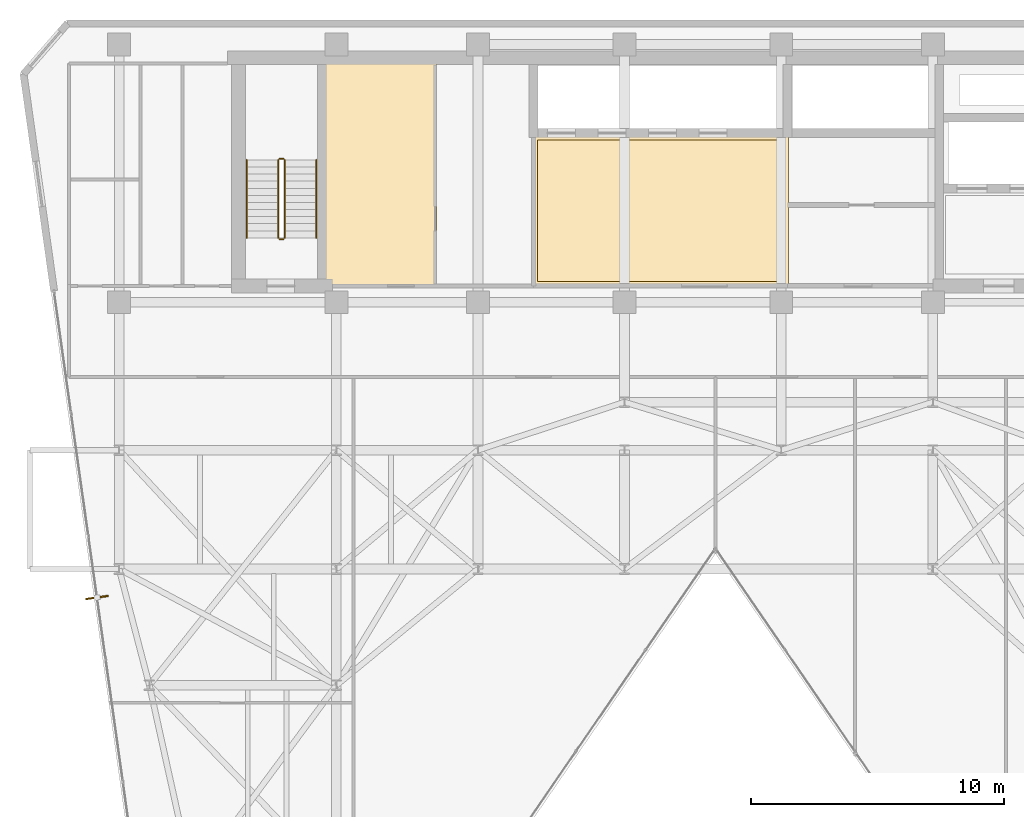
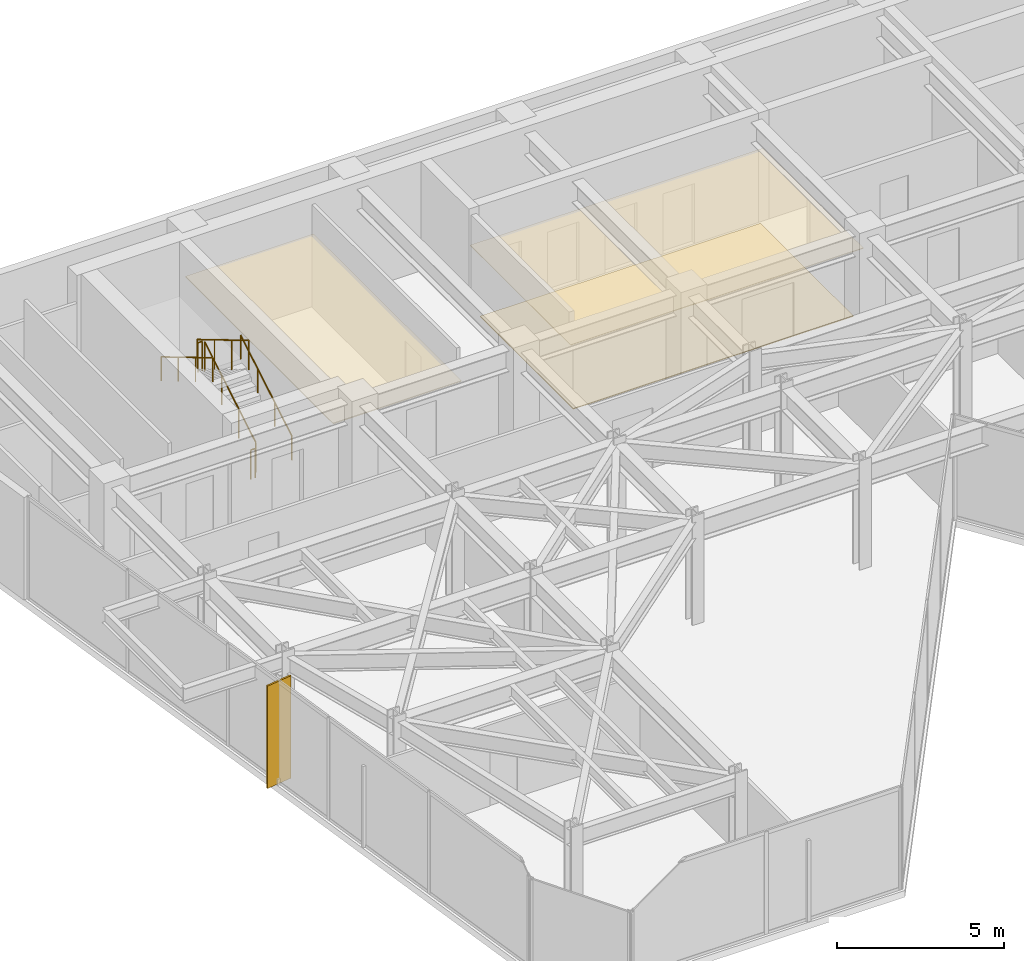
# One storey, part 25 of 26: 6 railings, 3 coverings, 1 shading device.
"""IFC4 building model written with IfcOpenShell, lengths in metres."""

from ifc_helpers import new_model, si_unit, direction, frame, origin, origin_2d, place, context, subcontext, project, spatial, polyline, rectangle, circle, outline, extrude, material, layer, layer_set, type_object, element, save


model = new_model("IFC4")

# Units and contexts
model_context = context("Model", 3, precision=1e-05, world=origin(), true_north=direction((0.0, 1.0)))
body_context = subcontext(model_context, "Body", "Model", "MODEL_VIEW")
ifc_project = project(units=[si_unit("LENGTHUNIT", "METRE"), si_unit("AREAUNIT", "SQUARE_METRE"), si_unit("VOLUMEUNIT", "CUBIC_METRE"), si_unit("PLANEANGLEUNIT", "RADIAN"), si_unit("MASSUNIT", "GRAM", prefix="KILO")], contexts=[model_context])

# Site, building, storey
site_placement = place(None, origin())
site = spatial("IfcSite", under=ifc_project, at=site_placement, CompositionType="ELEMENT")
building_placement = place(site_placement, origin())
building = spatial("IfcBuilding", under=site, at=building_placement, Name="Kravanh Interchange Tower", CompositionType="ELEMENT")
storey_placement = place(building_placement, frame((0.0, 0.0, 172.5)))
storey = spatial("IfcBuildingStorey", under=building, at=storey_placement, Name="L41", CompositionType="ELEMENT", Elevation=172.5)

# Coverings
ifc_material_1 = material(Name="Cementitious Terrazzo Tile")
ifc_layer_1 = layer(ifc_material_1, 0.030029296875)
ifc_layer_set_1 = layer_set([ifc_layer_1], Name="Honed Terrazzo Lobby Flooring 30mm")
covering_type_1 = type_object("IfcCoveringType", Name="Honed Terrazzo Lobby Flooring 30mm", PredefinedType="FLOORING", material=ifc_layer_set_1)
covering_1_placement = place(storey_placement, origin())
element("IfcCovering", 1, at=covering_1_placement, inside=storey, type_object=covering_type_1, Name="L41 Mid-Rise Lift Lobby Floor Finish", PredefinedType="FLOORING", context=body_context, shape_type="SweptSolid", body=[
    extrude(outline(polyline([(35.159912109375, 43.77001953125), (44.8701171875, 43.77001953125), (44.8701171875, 38.179931640625), (35.159912109375, 38.179931640625), (35.159912109375, 43.77001953125)])), origin(), (0.0, 0.0, 1.0), 0.030029296875),
])
ifc_material_2 = material(Name="Anodised Bronze Aluminium Acoustic Baffle", Category="aluminium")
ifc_layer_2 = layer(ifc_material_2, 0.034912109375)
ifc_layer_set_2 = layer_set([ifc_layer_2], Name="Linear Bronze Baffle Feature Ceiling 35mm")
covering_type_2 = type_object("IfcCoveringType", Name="Linear Bronze Baffle Feature Ceiling 35mm", PredefinedType="CEILING", material=ifc_layer_set_2)
covering_2_placement = place(storey_placement, frame((0.0, 0.0, 2.550048828125)))
element("IfcCovering", 2, at=covering_2_placement, inside=storey, type_object=covering_type_2, Name="L41 Regional IT Server Suite Suspended Ceiling", PredefinedType="CEILING", context=body_context, shape_type="SweptSolid", body=[
    extrude(outline(polyline([(31.159912109375, 37.9599609375), (26.7099609375, 37.9599609375), (26.7099609375, 46.840087890625), (31.159912109375, 46.840087890625), (31.159912109375, 37.9599609375)])), origin(), (0.0, 0.0, 1.0), 0.034912109375),
])
ifc_material_3 = material(Name="Acoustic Mineral Fibre Tile on Aluminium Grid", Category="aluminium")
ifc_layer_3 = layer(ifc_material_3, 0.02490234375)
ifc_layer_set_3 = layer_set([ifc_layer_3], Name="Perforated Acoustic Mineral Ceiling 25mm")
covering_type_3 = type_object("IfcCoveringType", Name="Perforated Acoustic Mineral Ceiling 25mm", PredefinedType="CEILING", material=ifc_layer_set_3)
covering_3_placement = place(storey_placement, frame((0.0, 0.0, 2.550048828125)))
element("IfcCovering", 3, at=covering_3_placement, inside=storey, type_object=covering_type_3, Name="L41 Mid-Rise Lift Lobby Suspended Ceiling", PredefinedType="CEILING", context=body_context, shape_type="SweptSolid", body=[
    extrude(outline(polyline([(45.090087890625, 37.9599609375), (34.93994140625, 37.9599609375), (34.93994140625, 43.989990234375), (45.090087890625, 43.989990234375), (45.090087890625, 37.9599609375)])), origin(), (0.0, 0.0, 1.0), 0.02490234375),
])

# Railings
ifc_material_4 = material(Name="Structural Steel S355", Category="steel")
ifc_layer_4 = layer(ifc_material_4, 0.050048828125)
ifc_layer_set_4 = layer_set([ifc_layer_4], Name="Stair Well Guardrail Structural Steel S355 1100mm")
railing_type_1 = type_object("IfcRailingType", Name="Stair Well Guardrail Structural Steel S355 1100mm", PredefinedType="GUARDRAIL", material=ifc_layer_set_4)
railing_1_placement = place(storey_placement, frame((25.14990234375, 39.89990234375, 0.166748046875)))
element("IfcRailing", 4, at=railing_1_placement, inside=storey, type_object=railing_type_1, Name="L41 ST3 stair guard 1", PredefinedType="GUARDRAIL", context=body_context, shape_type="SweptSolid", body=[
    extrude(circle(Radius=0.02392578125, at=origin_2d()), frame((0.0, 0.0, 1.076171875), z_axis=(0.0, 0.859308565015, 0.511457515432), x_axis=(-1.0, 0.0, 0.0)), (0.0, 0.0, 1.0), 3.58447265625),
    extrude(circle(Radius=0.02099609375, at=origin_2d()), origin(), (0.0, 0.0, 1.0), 1.052001953125),
    extrude(circle(Radius=0.02099609375, at=origin_2d()), frame((0.0, 1.026611328125, 0.611083984375)), (0.0, 0.0, 1.0), 1.052001953125),
    extrude(circle(Radius=0.02099609375, at=origin_2d()), frame((0.0, 2.053466796875, 1.22216796875)), (0.0, 0.0, 1.0), 1.052001953125),
    extrude(circle(Radius=0.02099609375, at=origin_2d()), frame((0.0, 3.080078125, 1.833251953125)), (0.0, 0.0, 1.0), 1.052001953125),
])
railing_2_placement = place(storey_placement, frame((25.10009765625, 43.030029296875, 2.0)))
element("IfcRailing", 5, at=railing_2_placement, inside=storey, type_object=railing_type_1, Name="L41 ST3 stair guard 2", PredefinedType="GUARDRAIL", context=body_context, shape_type="SweptSolid", body=[
    extrude(circle(Radius=0.02392578125, at=origin_2d()), frame((0.0, 0.0, 1.076171875), z_axis=(-1.0, 0.0, 0.0), x_axis=(0.0, -1.0, 0.0)), (0.0, 0.0, 1.0), 0.150146484375),
    extrude(circle(Radius=0.02099609375, at=origin_2d()), origin(), (0.0, 0.0, 1.0), 1.052001953125),
    extrude(circle(Radius=0.02099609375, at=origin_2d()), frame((-0.150146484375, 0.0, 0.0)), (0.0, 0.0, 1.0), 1.052001953125),
])
railing_3_placement = place(storey_placement, frame((24.89990234375, 42.97998046875, 2.166748046875)))
element("IfcRailing", 6, at=railing_3_placement, inside=storey, type_object=railing_type_1, Name="L41 ST3 stair guard 3", PredefinedType="GUARDRAIL", context=body_context, shape_type="SweptSolid", body=[
    extrude(circle(Radius=0.02392578125, at=origin_2d()), frame((0.0, 0.0, 1.076171875), z_axis=(0.0, -0.859308565015, 0.511457515432), x_axis=(1.0, 0.0, 0.0)), (0.0, 0.0, 1.0), 3.58447265625),
    extrude(circle(Radius=0.02099609375, at=origin_2d()), origin(), (0.0, 0.0, 1.0), 1.052001953125),
    extrude(circle(Radius=0.02099609375, at=origin_2d()), frame((0.0, -1.026611328125, 0.611083984375)), (0.0, 0.0, 1.0), 1.052001953125),
    extrude(circle(Radius=0.02099609375, at=origin_2d()), frame((0.0, -2.053466796875, 1.22216796875)), (0.0, 0.0, 1.0), 1.052001953125),
    extrude(circle(Radius=0.02099609375, at=origin_2d()), frame((0.0, -3.080078125, 1.833251953125)), (0.0, 0.0, 1.0), 1.052001953125),
])
railing_4_placement = place(storey_placement, frame((25.10009765625, 39.85009765625, 0.0)))
element("IfcRailing", 7, at=railing_4_placement, inside=storey, type_object=railing_type_1, Name="L41 ST3 stair guard 4", PredefinedType="GUARDRAIL", context=body_context, shape_type="SweptSolid", body=[
    extrude(circle(Radius=0.02392578125, at=origin_2d()), frame((0.0, 0.0, 1.076171875), z_axis=(-1.0, 0.0, 0.0), x_axis=(0.0, -1.0, 0.0)), (0.0, 0.0, 1.0), 0.150146484375),
    extrude(circle(Radius=0.02099609375, at=origin_2d()), origin(), (0.0, 0.0, 1.0), 1.052001953125),
    extrude(circle(Radius=0.02099609375, at=origin_2d()), frame((-0.150146484375, 0.0, 0.0)), (0.0, 0.0, 1.0), 1.052001953125),
])
ifc_material_5 = material(Name="Stainless Steel 304", Category="steel")
ifc_layer_5 = layer(ifc_material_5, 0.044921875)
ifc_layer_set_5 = layer_set([ifc_layer_5], Name="Tubular Stair Handrail Stainless 304 900mm")
railing_type_2 = type_object("IfcRailingType", Name="Tubular Stair Handrail Stainless 304 900mm", PredefinedType="HANDRAIL", material=ifc_layer_set_5)
railing_5_placement = place(storey_placement, frame((26.39990234375, 39.89990234375, 0.166748046875)))
element("IfcRailing", 8, at=railing_5_placement, inside=storey, type_object=railing_type_2, Name="L41 ST3 stair handrail 1", PredefinedType="HANDRAIL", context=body_context, shape_type="SweptSolid", body=[
    extrude(circle(Radius=0.02392578125, at=origin_2d()), frame((0.0, 0.0, 0.8759765625), z_axis=(0.0, 0.859308565015, 0.511457515432), x_axis=(-1.0, 0.0, 0.0)), (0.0, 0.0, 1.0), 3.58447265625),
    extrude(circle(Radius=0.02099609375, at=origin_2d()), origin(), (0.0, 0.0, 1.0), 0.851806640625),
    extrude(circle(Radius=0.02099609375, at=origin_2d()), frame((0.0, 1.026611328125, 0.611083984375)), (0.0, 0.0, 1.0), 0.851806640625),
    extrude(circle(Radius=0.02099609375, at=origin_2d()), frame((0.0, 2.053466796875, 1.22216796875)), (0.0, 0.0, 1.0), 0.851806640625),
    extrude(circle(Radius=0.02099609375, at=origin_2d()), frame((0.0, 3.080078125, 1.833251953125)), (0.0, 0.0, 1.0), 0.851806640625),
])
railing_6_placement = place(storey_placement, frame((23.64990234375, 42.97998046875, 2.166748046875)))
element("IfcRailing", 9, at=railing_6_placement, inside=storey, type_object=railing_type_2, Name="L41 ST3 stair handrail 2", PredefinedType="HANDRAIL", context=body_context, shape_type="SweptSolid", body=[
    extrude(circle(Radius=0.02392578125, at=origin_2d()), frame((0.0, 0.0, 0.8759765625), z_axis=(0.0, -0.859308565015, 0.511457515432), x_axis=(1.0, 0.0, 0.0)), (0.0, 0.0, 1.0), 3.58447265625),
    extrude(circle(Radius=0.02099609375, at=origin_2d()), origin(), (0.0, 0.0, 1.0), 0.851806640625),
    extrude(circle(Radius=0.02099609375, at=origin_2d()), frame((0.0, -1.026611328125, 0.611083984375)), (0.0, 0.0, 1.0), 0.851806640625),
    extrude(circle(Radius=0.02099609375, at=origin_2d()), frame((0.0, -2.053466796875, 1.22216796875)), (0.0, 0.0, 1.0), 0.851806640625),
    extrude(circle(Radius=0.02099609375, at=origin_2d()), frame((0.0, -3.080078125, 1.833251953125)), (0.0, 0.0, 1.0), 0.851806640625),
])

# Shading device
ifc_material_6 = material(Name="Anodised Champagne Bronze Aluminium", Category="aluminium")
ifc_layer_6 = layer(ifc_material_6, 0.06005859375)
ifc_layer_set_6 = layer_set([ifc_layer_6], Name="Vertical Bronze Solar Fin 900mm")
shading_device_type = type_object("IfcShadingDeviceType", Name="Vertical Bronze Solar Fin 900mm", PredefinedType="USERDEFINED", material=ifc_layer_set_6)
shading_device_placement = place(storey_placement, frame((17.729736328125, 25.67041015625, 0.0), z_axis=(0.0, 0.0, 1.0), x_axis=(-0.990268182791, -0.139172289451, 0.0)))
element("IfcShadingDevice", 10, at=shading_device_placement, inside=storey, type_object=shading_device_type, Name="L41 BRONZE SOLAR FIN 1", ObjectType="FIN", PredefinedType="USERDEFINED", context=body_context, shape_type="SweptSolid", body=[
    extrude(rectangle(XDim=0.89990234375, YDim=0.06005859375, at=origin_2d()), origin(), (0.0, 0.0, 1.0), 3.7548828125),
])

save(model, "model.ifc")
